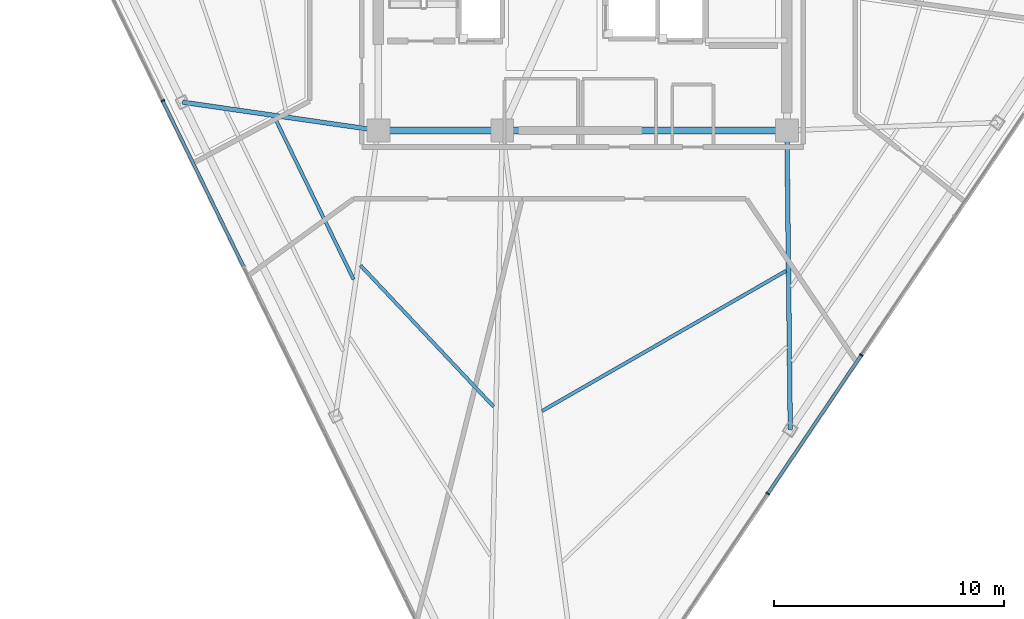
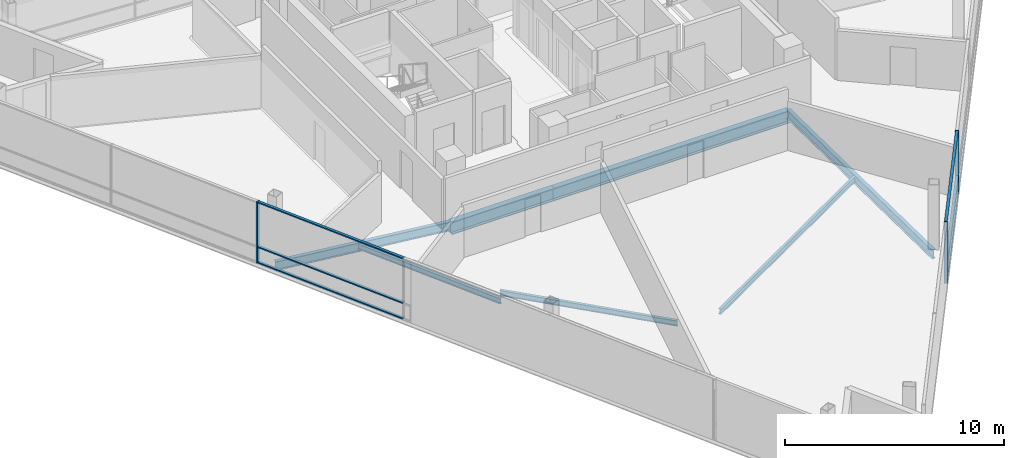
# One storey, part 3 of 13: 9 members, 7 beams, 2 elements without a shape of their own.
"""IFC4 building model written with IfcOpenShell, lengths in metres."""

import ifcopenshell
import ifcopenshell.guid

model = None  # the IFC model being written
_history = None  # IfcOwnerHistory: only IFC2X3 demands one
_inside = {}  # id of a spatial element -> (the spatial element, [elements in it])
_under = {}  # id of a project, library or spatial element -> (it, [spatial elements below it])
_declared = {}  # id of a project -> (the project, [libraries it declares])
_typed = {}  # id of a type object -> (the type object, [elements of that type])
_made_of = {}  # id of a material, layer set ... -> (it, [elements and type objects made of it])


def new_model(schema):
    """Start an empty IFC model of exactly this schema.

    Asked for "IFC4X3", IfcOpenShell would pick the latest addendum, in which some entities
    have other attributes; the version numbers below select the first issue.
    IFC2X3 requires an IfcOwnerHistory on every rooted entity: one is made here for all.
    """
    global model, _history
    if schema == "IFC4X3":
        model = ifcopenshell.file(schema_version=(4, 3, 0, 0))
    else:
        model = ifcopenshell.file(schema=schema)
    _inside.clear()
    _under.clear()
    _declared.clear()
    _typed.clear()
    _made_of.clear()
    _history = None
    if model.schema == "IFC2X3":
        org = make("IfcOrganization", Name="unknown")
        user = make(
            "IfcPersonAndOrganization",
            ThePerson=make("IfcPerson", FamilyName="unknown"),
            TheOrganization=org,
        )
        app = make(
            "IfcApplication",
            ApplicationDeveloper=org,
            Version="unknown",
            ApplicationFullName="unknown",
            ApplicationIdentifier="unknown",
        )
        _history = make(
            "IfcOwnerHistory",
            OwningUser=user,
            OwningApplication=app,
            ChangeAction="ADDED",
            CreationDate=0,
        )
    return model


def make(cls, **values):
    """One entity of the class cls with the attributes given. An attribute that is None is left unset."""
    return model.create_entity(
        cls, **{name: value for name, value in values.items() if value is not None}
    )


def rooted(cls, **values):
    """An entity with a GlobalId (a new one), such as an element, a storey or a relation."""
    return make(cls, GlobalId=ifcopenshell.guid.new(), OwnerHistory=_history, **values)


def si_unit(unit_type, name, prefix=None):
    """IfcSIUnit, for example si_unit("LENGTHUNIT", "METRE", prefix="MILLI")."""
    return make("IfcSIUnit", UnitType=unit_type, Prefix=prefix, Name=name)


def assignment(units):
    """IfcUnitAssignment: the units of a project."""
    return None if units is None else make("IfcUnitAssignment", Units=units)


def point(xyz):
    """IfcCartesianPoint."""
    return None if xyz is None else make("IfcCartesianPoint", Coordinates=xyz)


def direction(xyz):
    """IfcDirection."""
    return None if xyz is None else make("IfcDirection", DirectionRatios=xyz)


def frame(location, z_axis=None, x_axis=None):
    """IfcAxis2Placement3D, a coordinate frame: its origin and axes. An axis left out is left unset."""
    return make(
        "IfcAxis2Placement3D",
        Location=point(location),
        Axis=direction(z_axis),
        RefDirection=direction(x_axis),
    )


def frame_2d(location, x_axis=None):
    """IfcAxis2Placement2D, a coordinate frame in the plane: its origin and x axis."""
    return make(
        "IfcAxis2Placement2D", Location=point(location), RefDirection=direction(x_axis)
    )


def origin():
    """The frame at (0, 0, 0) with its axes left unset."""
    return frame((0.0, 0.0, 0.0))


def origin_2d():
    """The frame at (0, 0) in the plane with its x axis left unset."""
    return frame_2d((0.0, 0.0))


def place(relative_to, where):
    """IfcLocalPlacement: puts the frame where relative to a parent placement (None: the world)."""
    return make(
        "IfcLocalPlacement", PlacementRelTo=relative_to, RelativePlacement=where
    )


def context(
    kind, dimensions, precision=None, world=None, true_north=None, identifier=None
):
    """IfcGeometricRepresentationContext, for example the 3D "Model" context."""
    return make(
        "IfcGeometricRepresentationContext",
        ContextIdentifier=identifier,
        ContextType=kind,
        CoordinateSpaceDimension=dimensions,
        Precision=precision,
        WorldCoordinateSystem=world,
        TrueNorth=true_north,
    )


def subcontext(parent, identifier, kind, view, scale=None):
    """IfcGeometricRepresentationSubContext, for example "Body" below "Model"."""
    return make(
        "IfcGeometricRepresentationSubContext",
        ContextIdentifier=identifier,
        ContextType=kind,
        ParentContext=parent,
        TargetScale=scale,
        TargetView=view,
    )


def project(units=None, contexts=None):
    """IfcProject with its units and contexts."""
    return rooted(
        "IfcProject",
        Name="project",
        RepresentationContexts=contexts,
        UnitsInContext=assignment(units),
    )


def spatial(cls, under=None, at=None, **own):
    """A site, building, storey or space (cls), placed at a placement, below another one or the project."""
    s = rooted(cls, ObjectPlacement=at, **own)
    if under is not None:
        _under.setdefault(under.id(), (under, []))[1].append(s)
    return s


def profile(cls, at=None, kind="AREA", **sizes):
    """A parametric profile (cls). Its sizes go by their IFC names, for example OverallWidth=200.0."""
    return make(cls, ProfileType=kind, Position=at, **sizes)


def rectangle(**sizes):
    """IfcRectangleProfileDef."""
    return profile("IfcRectangleProfileDef", **sizes)


def i_section(**sizes):
    """IfcIShapeProfileDef."""
    return profile("IfcIShapeProfileDef", **sizes)


def extrude(swept, where, along, depth):
    """IfcExtrudedAreaSolid: the profile swept, set in the frame where, extruded along a direction by depth."""
    return make(
        "IfcExtrudedAreaSolid",
        SweptArea=swept,
        Position=where,
        ExtrudedDirection=direction(along),
        Depth=depth,
    )


def shape(context_of_items, identifier, shape_type, items):
    """IfcShapeRepresentation: the items that make up one representation, for example the "Body"."""
    return make(
        "IfcShapeRepresentation",
        ContextOfItems=context_of_items,
        RepresentationIdentifier=identifier,
        RepresentationType=shape_type,
        Items=items,
    )


def material(Name=None, Category=None):
    """IfcMaterial."""
    return make("IfcMaterial", Name=Name, Category=Category)


def layer(
    of_material, thickness, ventilated=None, Name=None, Category=None, Priority=None
):
    """IfcMaterialLayer: one layer of a wall or slab, of a material (None: an air gap)."""
    return make(
        "IfcMaterialLayer",
        Material=of_material,
        LayerThickness=thickness,
        IsVentilated=ventilated,
        Name=Name,
        Category=Category,
        Priority=Priority,
    )


def layer_set(layers, Name=None):
    """IfcMaterialLayerSet."""
    return make("IfcMaterialLayerSet", MaterialLayers=layers, LayerSetName=Name)


def material_profile(
    of_material, cross_section, Name=None, Category=None, Priority=None
):
    """IfcMaterialProfile: a cross section and its material."""
    return make(
        "IfcMaterialProfile",
        Name=Name,
        Material=of_material,
        Profile=cross_section,
        Priority=Priority,
        Category=Category,
    )


def profile_set(profiles, Name=None, composite=None):
    """IfcMaterialProfileSet."""
    return make(
        "IfcMaterialProfileSet",
        Name=Name,
        MaterialProfiles=profiles,
        CompositeProfile=composite,
    )


def made_of(thing, what):
    """Note that an element or type object is made of a material, layer set ...; save() writes the relation."""
    if what is not None:
        _made_of.setdefault(what.id(), (what, []))[1].append(thing)
    return thing


def type_object(cls, material=None, **own):
    """A type object (cls), such as IfcWallType, which elements share."""
    return made_of(rooted(cls, **own), material)


def element(
    cls,
    number,
    at=None,
    inside=None,
    cuts=None,
    type_object=None,
    material=None,
    context=None,
    identifier="Body",
    shape_type=None,
    held_by="IfcProductDefinitionShape",
    body=None,
    shapes=None,
    **own,
):
    """One element of the class cls, such as IfcWall. Its Tag is "e" and its number.

    at: its placement. inside: the storey or other place that contains it. cuts: it is an
    opening in that element (IfcRelVoidsElement). A single representation is given by context,
    identifier, shape_type and body (its items); several are given by shapes. held_by: the class
    of the entity that holds the representations. save() writes the other relations.
    """
    e = rooted(cls, Tag="e%d" % number, ObjectPlacement=at, **own)
    if body is not None:
        shapes = [shape(context, identifier, shape_type, body)]
    if shapes is not None:
        e.Representation = make(held_by, Representations=shapes)
    if inside is not None:
        _inside.setdefault(inside.id(), (inside, []))[1].append(e)
    if cuts is not None:
        rooted(
            "IfcRelVoidsElement", RelatingBuildingElement=cuts, RelatedOpeningElement=e
        )
    if type_object is not None:
        _typed.setdefault(type_object.id(), (type_object, []))[1].append(e)
    return made_of(e, material)


def aggregate(whole, parts):
    """IfcRelAggregates: a whole, such as a stair, and the parts it consists of."""
    return rooted("IfcRelAggregates", RelatingObject=whole, RelatedObjects=parts)


def save(model, path):
    """Write the relations noted so far, then the file.

    IfcRelAggregates (storeys below a building ...), IfcRelContainedInSpatialStructure (elements
    in a storey), IfcRelDefinesByType, IfcRelAssociatesMaterial and IfcRelDeclares: one each for
    every whole, place, type object, material and project.
    """
    for whole, parts in _under.values():
        aggregate(whole, parts)
    for where, things in _inside.values():
        rooted(
            "IfcRelContainedInSpatialStructure",
            RelatedElements=things,
            RelatingStructure=where,
        )
    for kind, things in _typed.values():
        rooted("IfcRelDefinesByType", RelatedObjects=things, RelatingType=kind)
    for what, things in _made_of.values():
        rooted("IfcRelAssociatesMaterial", RelatedObjects=things, RelatingMaterial=what)
    for by, libraries in _declared.values():
        rooted("IfcRelDeclares", RelatingContext=by, RelatedDefinitions=libraries)
    model.write(path)


model = new_model("IFC4")

# Units and contexts
model_context = context("Model", 3, precision=1e-05, world=origin(), true_north=direction((0.0, 1.0)))
body_context = subcontext(model_context, "Body", "Model", "MODEL_VIEW")
ifc_project = project(units=[si_unit("LENGTHUNIT", "METRE"), si_unit("AREAUNIT", "SQUARE_METRE"), si_unit("VOLUMEUNIT", "CUBIC_METRE"), si_unit("PLANEANGLEUNIT", "RADIAN"), si_unit("MASSUNIT", "GRAM", prefix="KILO")], contexts=[model_context])

# Site, building, storey
site_placement = place(None, origin())
site = spatial("IfcSite", under=ifc_project, at=site_placement, CompositionType="ELEMENT")
building_placement = place(site_placement, origin())
building = spatial("IfcBuilding", under=site, at=building_placement, Name="Tharavind Bronze Gate", CompositionType="ELEMENT")
storey_placement = place(building_placement, frame((0.0, 0.0, 234.25)))
storey = spatial("IfcBuildingStorey", under=building, at=storey_placement, Name="L60", CompositionType="ELEMENT", Elevation=234.25)

# Curtain wall, member
ifc_material_1 = material(Name="Anodised Bronze Aluminium", Category="aluminium")
ifc_layer = layer(ifc_material_1, 0.219970703125)
ifc_layer_set = layer_set([ifc_layer], Name="Anodised Bronze Aluminium")
curtain_wall_type = type_object("IfcCurtainWallType", Name="UNITISED CURTAIN WALL UPPER OFFICE", PredefinedType="USERDEFINED", material=ifc_layer_set)
curtain_wall_1_placement = place(storey_placement, origin())
curtain_wall_1 = element("IfcCurtainWall", 1, at=curtain_wall_1_placement, inside=storey, type_object=curtain_wall_type, Name="L60 unitised curtain wall upper office CW-L60-S1", ObjectType="UNITISED CURTAIN WALL", PredefinedType="USERDEFINED")
member_type_1 = type_object("IfcMemberType", Name="CURTAIN WALL BRONZE MULLION 65X180", PredefinedType="MULLION", material=ifc_material_1)
member_1_placement = place(storey_placement, frame((-18.289794921875, -6.308349609375, 0.0), z_axis=(0.0, 0.0, 1.0), x_axis=(0.438371146789, -0.898794046299, 0.0)))
member_1 = element("IfcMember", 2, at=member_1_placement, type_object=member_type_1, Name="CW-L60-S1 mullion 3", PredefinedType="MULLION", context=body_context, shape_type="SweptSolid", body=[
    extrude(rectangle(XDim=0.06494140625, YDim=0.179931640625, at=origin_2d()), origin(), (0.0, 0.0, 1.0), 3.419921875),
])

# Curtain wall, members
curtain_wall_2_placement = place(storey_placement, origin())
curtain_wall_2 = element("IfcCurtainWall", 3, at=curtain_wall_2_placement, inside=storey, type_object=curtain_wall_type, Name="L60 unitised curtain wall upper office CW-L60-S2", ObjectType="UNITISED CURTAIN WALL", PredefinedType="USERDEFINED")
member_2_placement = place(storey_placement, frame((8.06787109375, -23.4189453125, 0.0), z_axis=(0.0, 0.0, 1.0), x_axis=(0.559192903471, 0.829037572555, 0.0)))
member_2 = element("IfcMember", 4, at=member_2_placement, type_object=member_type_1, Name="CW-L60-S2 mullion 3", PredefinedType="MULLION", context=body_context, shape_type="SweptSolid", body=[
    extrude(rectangle(XDim=0.06494140625, YDim=0.179931640625, at=origin_2d()), origin(), (0.0, 0.0, 1.0), 3.419921875),
])
member_3_placement = place(storey_placement, frame((12.140380859375, -17.381103515625, 0.0), z_axis=(0.0, 0.0, 1.0), x_axis=(0.559192903471, 0.829037572555, 0.0)))
member_3 = element("IfcMember", 5, at=member_3_placement, type_object=member_type_1, Name="CW-L60-S2 mullion 4", PredefinedType="MULLION", context=body_context, shape_type="SweptSolid", body=[
    extrude(rectangle(XDim=0.06494140625, YDim=0.179931640625, at=origin_2d()), origin(), (0.0, 0.0, 1.0), 3.419921875),
])

# Member
member_type_2 = type_object("IfcMemberType", Name="CURTAIN WALL BRONZE TRANSOM 65X140", PredefinedType="USERDEFINED", material=ifc_material_1)
member_4_placement = place(storey_placement, frame((-16.528076171875, -9.920654296875, 0.0), z_axis=(0.0, 0.0, 1.0), x_axis=(0.438371146789, -0.898794046299, 0.0)))
member_4 = element("IfcMember", 6, at=member_4_placement, type_object=member_type_2, Name="CW-L60-S1 transom TB3", ObjectType="TRANSOM", PredefinedType="USERDEFINED", context=body_context, shape_type="SweptSolid", body=[
    extrude(rectangle(XDim=7.985107421875, YDim=0.139892578125, at=origin_2d()), origin(), (0.0, 0.0, 1.0), 0.06494140625),
])

member_5_placement = place(storey_placement, frame((-16.528076171875, -9.920654296875, 0.867431640625), z_axis=(0.0, 0.0, 1.0), x_axis=(0.438371146789, -0.898794046299, 0.0)))
member_5 = element("IfcMember", 7, at=member_5_placement, type_object=member_type_2, Name="CW-L60-S1 transom TS3", ObjectType="TRANSOM", PredefinedType="USERDEFINED", context=body_context, shape_type="SweptSolid", body=[
    extrude(rectangle(XDim=7.985107421875, YDim=0.139892578125, at=origin_2d()), origin(), (0.0, 0.0, 1.0), 0.06494140625),
])

member_6_placement = place(storey_placement, frame((-16.528076171875, -9.920654296875, 3.35498046875), z_axis=(0.0, 0.0, 1.0), x_axis=(0.438371146789, -0.898794046299, 0.0)))
member_6 = element("IfcMember", 8, at=member_6_placement, type_object=member_type_2, Name="CW-L60-S1 transom TT3", ObjectType="TRANSOM", PredefinedType="USERDEFINED", context=body_context, shape_type="SweptSolid", body=[
    extrude(rectangle(XDim=7.985107421875, YDim=0.139892578125, at=origin_2d()), origin(), (0.0, 0.0, 1.0), 0.06494140625),
])

aggregate(curtain_wall_1, [member_1, member_4, member_5, member_6])

member_7_placement = place(storey_placement, frame((10.10400390625, -20.39990234375, 0.0), z_axis=(0.0, 0.0, 1.0), x_axis=(0.559192903471, 0.829037572555, 0.0)))
member_7 = element("IfcMember", 9, at=member_7_placement, type_object=member_type_2, Name="CW-L60-S2 transom TB3", ObjectType="TRANSOM", PredefinedType="USERDEFINED", context=body_context, shape_type="SweptSolid", body=[
    extrude(rectangle(XDim=7.22998046875, YDim=0.139892578125, at=origin_2d()), origin(), (0.0, 0.0, 1.0), 0.06494140625),
])

member_8_placement = place(storey_placement, frame((10.10400390625, -20.39990234375, 0.867431640625), z_axis=(0.0, 0.0, 1.0), x_axis=(0.559192903471, 0.829037572555, 0.0)))
member_8 = element("IfcMember", 10, at=member_8_placement, type_object=member_type_2, Name="CW-L60-S2 transom TS3", ObjectType="TRANSOM", PredefinedType="USERDEFINED", context=body_context, shape_type="SweptSolid", body=[
    extrude(rectangle(XDim=7.22998046875, YDim=0.139892578125, at=origin_2d()), origin(), (0.0, 0.0, 1.0), 0.06494140625),
])

member_9_placement = place(storey_placement, frame((10.10400390625, -20.39990234375, 3.35498046875), z_axis=(0.0, 0.0, 1.0), x_axis=(0.559192903471, 0.829037572555, 0.0)))
member_9 = element("IfcMember", 11, at=member_9_placement, type_object=member_type_2, Name="CW-L60-S2 transom TT3", ObjectType="TRANSOM", PredefinedType="USERDEFINED", context=body_context, shape_type="SweptSolid", body=[
    extrude(rectangle(XDim=7.22998046875, YDim=0.139892578125, at=origin_2d()), origin(), (0.0, 0.0, 1.0), 0.06494140625),
])

aggregate(curtain_wall_2, [member_2, member_3, member_7, member_8, member_9])

# Beams
ifc_material_2 = material(Name="Steel S355", Category="steel")
ifc_material_profile_1 = material_profile(ifc_material_2, i_section(OverallWidth=0.199951171875, OverallDepth=0.5, WebThickness=0.01025390625, FlangeThickness=0.01611328125, at=origin_2d()), Name="IPE500")
ifc_profile_set_1 = profile_set([ifc_material_profile_1], Name="Steel S355")
beam_type_1 = type_object("IfcBeamType", Name="PRIMARY GIRDER IPE500", PredefinedType="USERDEFINED", material=ifc_profile_set_1)
beam_1_placement = place(storey_placement, frame((-17.42578125, -6.368896484375, -0.429931640625), z_axis=(0.989733524733, -0.142924980391, 0.0), x_axis=(0.142924980391, 0.989733524733, 0.0)))
element("IfcBeam", 12, at=beam_1_placement, inside=storey, type_object=beam_type_1, Name="L60 primary girder ipe500 BM-L60-RAD02", ObjectType="GIRDER", PredefinedType="USERDEFINED", context=body_context, shape_type="SweptSolid", body=[
    extrude(i_section(OverallWidth=0.199951171875, OverallDepth=0.5, WebThickness=0.01025390625, FlangeThickness=0.01611328125, at=origin_2d()), origin(), (0.0, 0.0, 1.0), 8.6142578125),
])
beam_2_placement = place(storey_placement, frame((9.045654296875, -20.627685546875, -0.429931640625), z_axis=(-0.01118724612, 0.999937420804, 0.0), x_axis=(-0.999937420804, -0.01118724612, 0.0)))
element("IfcBeam", 13, at=beam_2_placement, inside=storey, type_object=beam_type_1, Name="L60 primary girder ipe500 BM-L60-RAD06", ObjectType="GIRDER", PredefinedType="USERDEFINED", context=body_context, shape_type="SweptSolid", body=[
    extrude(i_section(OverallWidth=0.199951171875, OverallDepth=0.5, WebThickness=0.01025390625, FlangeThickness=0.01611328125, at=origin_2d()), origin(), (0.0, 0.0, 1.0), 13.0283203125),
])
ifc_material_profile_2 = material_profile(ifc_material_2, i_section(OverallWidth=0.300048828125, OverallDepth=0.699951171875, WebThickness=0.01708984375, FlangeThickness=0.031982421875, at=origin_2d()), Name="HE700B")
ifc_profile_set_2 = profile_set([ifc_material_profile_2], Name="Steel S355")
beam_type_2 = type_object("IfcBeamType", Name="RING GIRDER HE700B", PredefinedType="USERDEFINED", material=ifc_profile_set_2)
beam_3_placement = place(storey_placement, frame((-8.89990234375, -7.60009765625, -0.530029296875), z_axis=(1.0, 0.0, 0.0), x_axis=(0.0, 1.0, 0.0)))
element("IfcBeam", 14, at=beam_3_placement, inside=storey, type_object=beam_type_2, Name="L60 ring girder he700b BM-L60-CR1", ObjectType="GIRDER", PredefinedType="USERDEFINED", context=body_context, shape_type="SweptSolid", body=[
    extrude(i_section(OverallWidth=0.300048828125, OverallDepth=0.699951171875, WebThickness=0.01708984375, FlangeThickness=0.031982421875, at=origin_2d()), origin(), (0.0, 0.0, 1.0), 5.39990234375),
])
beam_4_placement = place(storey_placement, frame((-3.5, -7.60009765625, -0.530029296875), z_axis=(1.0, 0.0, 0.0), x_axis=(0.0, 1.0, 0.0)))
element("IfcBeam", 15, at=beam_4_placement, inside=storey, type_object=beam_type_2, Name="L60 ring girder he700b BM-L60-CR2", ObjectType="GIRDER", PredefinedType="USERDEFINED", context=body_context, shape_type="SweptSolid", body=[
    extrude(i_section(OverallWidth=0.300048828125, OverallDepth=0.699951171875, WebThickness=0.01708984375, FlangeThickness=0.031982421875, at=origin_2d()), origin(), (0.0, 0.0, 1.0), 12.39990234375),
])
ifc_material_profile_3 = material_profile(ifc_material_2, i_section(OverallWidth=0.14990234375, OverallDepth=0.300048828125, WebThickness=0.007080078125, FlangeThickness=0.0107421875, at=origin_2d()), Name="IPE300")
ifc_profile_set_3 = profile_set([ifc_material_profile_3], Name="Steel S355")
beam_type_3 = type_object("IfcBeamType", Name="SECONDARY FLOOR JOIST IPE300", PredefinedType="JOIST", material=ifc_profile_set_3)
beam_5_placement = place(storey_placement, frame((-13.406494140625, -7.0537109375, -0.330078125), z_axis=(0.438363440935, -0.898797804654, 0.0), x_axis=(0.898797804654, 0.438363440935, 0.0)))
element("IfcBeam", 16, at=beam_5_placement, inside=storey, type_object=beam_type_3, Name="L60 secondary floor joist ipe300 BM-L60-JSTA02", PredefinedType="JOIST", context=body_context, shape_type="SweptSolid", body=[
    extrude(i_section(OverallWidth=0.14990234375, OverallDepth=0.300048828125, WebThickness=0.007080078125, FlangeThickness=0.0107421875, at=origin_2d()), origin(), (0.0, 0.0, 1.0), 7.83154296875),
])
beam_6_placement = place(storey_placement, frame((-9.674072265625, -13.47998046875, -0.330078125), z_axis=(0.685776148946, -0.727812526367, 0.0), x_axis=(0.727812526367, 0.685776148946, 0.0)))
element("IfcBeam", 17, at=beam_6_placement, inside=storey, type_object=beam_type_3, Name="L60 secondary floor joist ipe300 BM-L60-JSTA03", PredefinedType="JOIST", context=body_context, shape_type="SweptSolid", body=[
    extrude(i_section(OverallWidth=0.14990234375, OverallDepth=0.300048828125, WebThickness=0.007080078125, FlangeThickness=0.0107421875, at=origin_2d()), origin(), (0.0, 0.0, 1.0), 8.456298828125),
])
beam_7_placement = place(storey_placement, frame((-1.7626953125, -19.8193359375, -0.330078125), z_axis=(0.867210244303, 0.497942157459, 0.0), x_axis=(-0.497942157459, 0.867210244303, 0.0)))
element("IfcBeam", 18, at=beam_7_placement, inside=storey, type_object=beam_type_3, Name="L60 secondary floor joist ipe300 BM-L60-JSTA05", PredefinedType="JOIST", context=body_context, shape_type="SweptSolid", body=[
    extrude(i_section(OverallWidth=0.14990234375, OverallDepth=0.300048828125, WebThickness=0.007080078125, FlangeThickness=0.0107421875, at=origin_2d()), origin(), (0.0, 0.0, 1.0), 12.255126953125),
])

save(model, "model.ifc")
